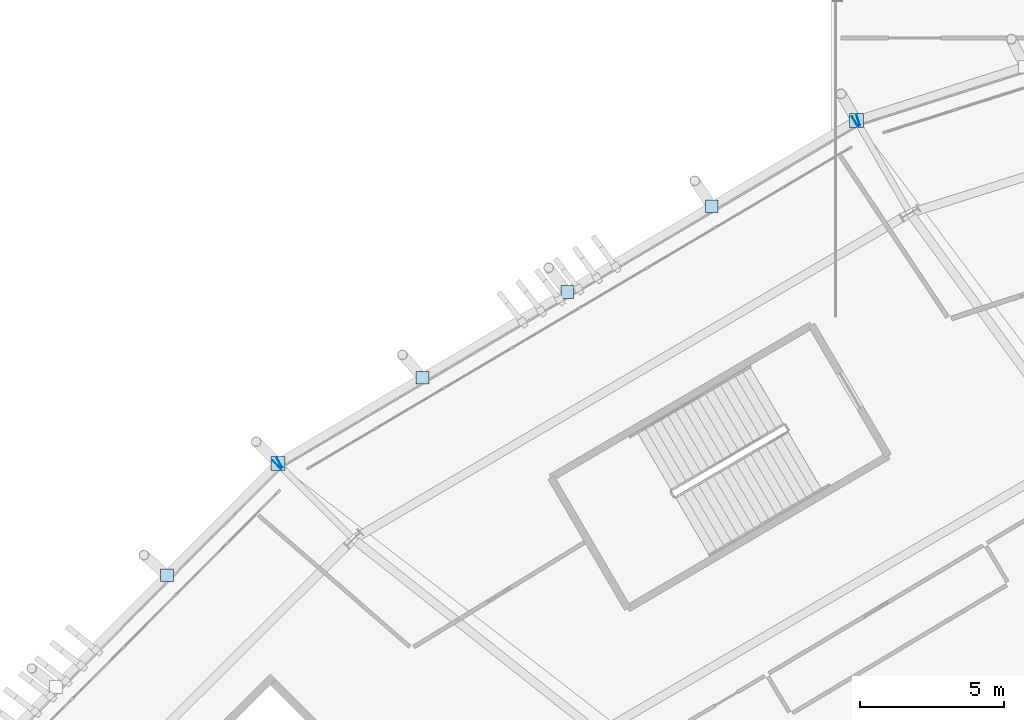
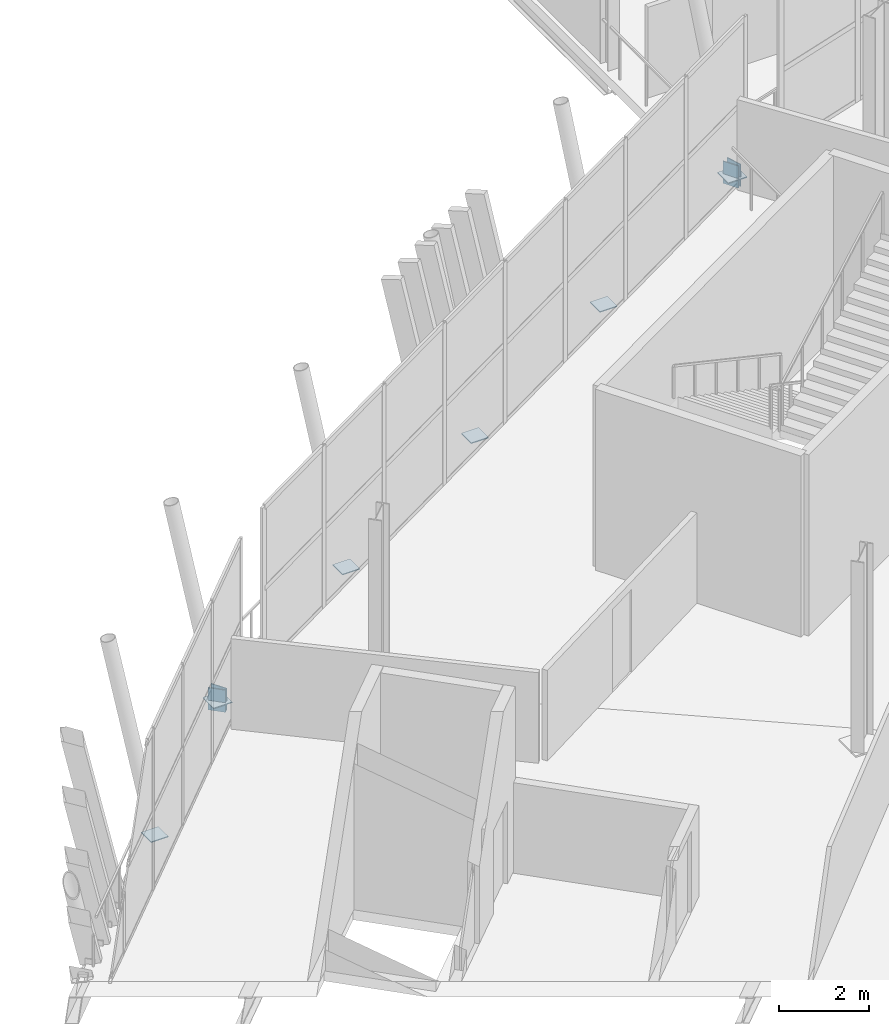
# One storey, part 110 of 168: 10 plates.
"""IFC4 building model written with IfcOpenShell, lengths in metres."""

import ifcopenshell
import ifcopenshell.guid

model = None  # the IFC model being written
_history = None  # IfcOwnerHistory: only IFC2X3 demands one
_inside = {}  # id of a spatial element -> (the spatial element, [elements in it])
_under = {}  # id of a project, library or spatial element -> (it, [spatial elements below it])
_declared = {}  # id of a project -> (the project, [libraries it declares])
_typed = {}  # id of a type object -> (the type object, [elements of that type])
_made_of = {}  # id of a material, layer set ... -> (it, [elements and type objects made of it])


def new_model(schema):
    """Start an empty IFC model of exactly this schema.

    Asked for "IFC4X3", IfcOpenShell would pick the latest addendum, in which some entities
    have other attributes; the version numbers below select the first issue.
    IFC2X3 requires an IfcOwnerHistory on every rooted entity: one is made here for all.
    """
    global model, _history
    if schema == "IFC4X3":
        model = ifcopenshell.file(schema_version=(4, 3, 0, 0))
    else:
        model = ifcopenshell.file(schema=schema)
    _inside.clear()
    _under.clear()
    _declared.clear()
    _typed.clear()
    _made_of.clear()
    _history = None
    if model.schema == "IFC2X3":
        org = make("IfcOrganization", Name="unknown")
        user = make(
            "IfcPersonAndOrganization",
            ThePerson=make("IfcPerson", FamilyName="unknown"),
            TheOrganization=org,
        )
        app = make(
            "IfcApplication",
            ApplicationDeveloper=org,
            Version="unknown",
            ApplicationFullName="unknown",
            ApplicationIdentifier="unknown",
        )
        _history = make(
            "IfcOwnerHistory",
            OwningUser=user,
            OwningApplication=app,
            ChangeAction="ADDED",
            CreationDate=0,
        )
    return model


def make(cls, **values):
    """One entity of the class cls with the attributes given. An attribute that is None is left unset."""
    return model.create_entity(
        cls, **{name: value for name, value in values.items() if value is not None}
    )


def rooted(cls, **values):
    """An entity with a GlobalId (a new one), such as an element, a storey or a relation."""
    return make(cls, GlobalId=ifcopenshell.guid.new(), OwnerHistory=_history, **values)


def si_unit(unit_type, name, prefix=None):
    """IfcSIUnit, for example si_unit("LENGTHUNIT", "METRE", prefix="MILLI")."""
    return make("IfcSIUnit", UnitType=unit_type, Prefix=prefix, Name=name)


def assignment(units):
    """IfcUnitAssignment: the units of a project."""
    return None if units is None else make("IfcUnitAssignment", Units=units)


def point(xyz):
    """IfcCartesianPoint."""
    return None if xyz is None else make("IfcCartesianPoint", Coordinates=xyz)


def direction(xyz):
    """IfcDirection."""
    return None if xyz is None else make("IfcDirection", DirectionRatios=xyz)


def frame(location, z_axis=None, x_axis=None):
    """IfcAxis2Placement3D, a coordinate frame: its origin and axes. An axis left out is left unset."""
    return make(
        "IfcAxis2Placement3D",
        Location=point(location),
        Axis=direction(z_axis),
        RefDirection=direction(x_axis),
    )


def frame_2d(location, x_axis=None):
    """IfcAxis2Placement2D, a coordinate frame in the plane: its origin and x axis."""
    return make(
        "IfcAxis2Placement2D", Location=point(location), RefDirection=direction(x_axis)
    )


def origin():
    """The frame at (0, 0, 0) with its axes left unset."""
    return frame((0.0, 0.0, 0.0))


def origin_2d():
    """The frame at (0, 0) in the plane with its x axis left unset."""
    return frame_2d((0.0, 0.0))


def place(relative_to, where):
    """IfcLocalPlacement: puts the frame where relative to a parent placement (None: the world)."""
    return make(
        "IfcLocalPlacement", PlacementRelTo=relative_to, RelativePlacement=where
    )


def context(
    kind, dimensions, precision=None, world=None, true_north=None, identifier=None
):
    """IfcGeometricRepresentationContext, for example the 3D "Model" context."""
    return make(
        "IfcGeometricRepresentationContext",
        ContextIdentifier=identifier,
        ContextType=kind,
        CoordinateSpaceDimension=dimensions,
        Precision=precision,
        WorldCoordinateSystem=world,
        TrueNorth=true_north,
    )


def subcontext(parent, identifier, kind, view, scale=None):
    """IfcGeometricRepresentationSubContext, for example "Body" below "Model"."""
    return make(
        "IfcGeometricRepresentationSubContext",
        ContextIdentifier=identifier,
        ContextType=kind,
        ParentContext=parent,
        TargetScale=scale,
        TargetView=view,
    )


def project(units=None, contexts=None):
    """IfcProject with its units and contexts."""
    return rooted(
        "IfcProject",
        Name="project",
        RepresentationContexts=contexts,
        UnitsInContext=assignment(units),
    )


def spatial(cls, under=None, at=None, **own):
    """A site, building, storey or space (cls), placed at a placement, below another one or the project."""
    s = rooted(cls, ObjectPlacement=at, **own)
    if under is not None:
        _under.setdefault(under.id(), (under, []))[1].append(s)
    return s


def profile(cls, at=None, kind="AREA", **sizes):
    """A parametric profile (cls). Its sizes go by their IFC names, for example OverallWidth=200.0."""
    return make(cls, ProfileType=kind, Position=at, **sizes)


def rectangle(**sizes):
    """IfcRectangleProfileDef."""
    return profile("IfcRectangleProfileDef", **sizes)


def extrude(swept, where, along, depth):
    """IfcExtrudedAreaSolid: the profile swept, set in the frame where, extruded along a direction by depth."""
    return make(
        "IfcExtrudedAreaSolid",
        SweptArea=swept,
        Position=where,
        ExtrudedDirection=direction(along),
        Depth=depth,
    )


def shape(context_of_items, identifier, shape_type, items):
    """IfcShapeRepresentation: the items that make up one representation, for example the "Body"."""
    return make(
        "IfcShapeRepresentation",
        ContextOfItems=context_of_items,
        RepresentationIdentifier=identifier,
        RepresentationType=shape_type,
        Items=items,
    )


def material(Name=None, Category=None):
    """IfcMaterial."""
    return make("IfcMaterial", Name=Name, Category=Category)


def layer(
    of_material, thickness, ventilated=None, Name=None, Category=None, Priority=None
):
    """IfcMaterialLayer: one layer of a wall or slab, of a material (None: an air gap)."""
    return make(
        "IfcMaterialLayer",
        Material=of_material,
        LayerThickness=thickness,
        IsVentilated=ventilated,
        Name=Name,
        Category=Category,
        Priority=Priority,
    )


def layer_set(layers, Name=None):
    """IfcMaterialLayerSet."""
    return make("IfcMaterialLayerSet", MaterialLayers=layers, LayerSetName=Name)


def made_of(thing, what):
    """Note that an element or type object is made of a material, layer set ...; save() writes the relation."""
    if what is not None:
        _made_of.setdefault(what.id(), (what, []))[1].append(thing)
    return thing


def type_object(cls, material=None, **own):
    """A type object (cls), such as IfcWallType, which elements share."""
    return made_of(rooted(cls, **own), material)


def element(
    cls,
    number,
    at=None,
    inside=None,
    cuts=None,
    type_object=None,
    material=None,
    context=None,
    identifier="Body",
    shape_type=None,
    held_by="IfcProductDefinitionShape",
    body=None,
    shapes=None,
    **own,
):
    """One element of the class cls, such as IfcWall. Its Tag is "e" and its number.

    at: its placement. inside: the storey or other place that contains it. cuts: it is an
    opening in that element (IfcRelVoidsElement). A single representation is given by context,
    identifier, shape_type and body (its items); several are given by shapes. held_by: the class
    of the entity that holds the representations. save() writes the other relations.
    """
    e = rooted(cls, Tag="e%d" % number, ObjectPlacement=at, **own)
    if body is not None:
        shapes = [shape(context, identifier, shape_type, body)]
    if shapes is not None:
        e.Representation = make(held_by, Representations=shapes)
    if inside is not None:
        _inside.setdefault(inside.id(), (inside, []))[1].append(e)
    if cuts is not None:
        rooted(
            "IfcRelVoidsElement", RelatingBuildingElement=cuts, RelatedOpeningElement=e
        )
    if type_object is not None:
        _typed.setdefault(type_object.id(), (type_object, []))[1].append(e)
    return made_of(e, material)


def aggregate(whole, parts):
    """IfcRelAggregates: a whole, such as a stair, and the parts it consists of."""
    return rooted("IfcRelAggregates", RelatingObject=whole, RelatedObjects=parts)


def save(model, path):
    """Write the relations noted so far, then the file.

    IfcRelAggregates (storeys below a building ...), IfcRelContainedInSpatialStructure (elements
    in a storey), IfcRelDefinesByType, IfcRelAssociatesMaterial and IfcRelDeclares: one each for
    every whole, place, type object, material and project.
    """
    for whole, parts in _under.values():
        aggregate(whole, parts)
    for where, things in _inside.values():
        rooted(
            "IfcRelContainedInSpatialStructure",
            RelatedElements=things,
            RelatingStructure=where,
        )
    for kind, things in _typed.values():
        rooted("IfcRelDefinesByType", RelatedObjects=things, RelatingType=kind)
    for what, things in _made_of.values():
        rooted("IfcRelAssociatesMaterial", RelatedObjects=things, RelatingMaterial=what)
    for by, libraries in _declared.values():
        rooted("IfcRelDeclares", RelatingContext=by, RelatedDefinitions=libraries)
    model.write(path)


model = new_model("IFC4")

# Units and contexts
model_context = context("Model", 3, precision=1e-05, world=origin(), true_north=direction((0.0, 1.0)))
body_context = subcontext(model_context, "Body", "Model", "MODEL_VIEW")
ifc_project = project(units=[si_unit("LENGTHUNIT", "METRE"), si_unit("AREAUNIT", "SQUARE_METRE"), si_unit("VOLUMEUNIT", "CUBIC_METRE"), si_unit("PLANEANGLEUNIT", "RADIAN"), si_unit("MASSUNIT", "GRAM", prefix="KILO")], contexts=[model_context])

# Site, building, storey
site_placement = place(None, origin())
site = spatial("IfcSite", under=ifc_project, at=site_placement, CompositionType="ELEMENT")
building_placement = place(site_placement, origin())
building = spatial("IfcBuilding", under=site, at=building_placement, Name="Zlatoyarsky Gate Stadium", CompositionType="ELEMENT")
storey_placement = place(building_placement, frame((0.0, 0.0, 15.60009765625)))
storey = spatial("IfcBuildingStorey", under=building, at=storey_placement, Name="L03", CompositionType="ELEMENT", Elevation=15.60009765625)

# Plates
ifc_material = material(Name="Steel S355", Category="steel")
ifc_layer = layer(ifc_material, 0.02392578125)
ifc_layer_set = layer_set([ifc_layer], Name="Steel S355")
plate_type = type_object("IfcPlateType", Name="STEEL HOLLOW CHORD SPLICE SHEET 24", PredefinedType="SHEET", material=ifc_layer_set)
for number, where, z_axis, x_axis, name in (
    (1, (62.7060546875, 144.71240234375, -0.830078125), (0.0, 0.0, 1.0), (-0.952429647301, -0.304758538753, 0.0), "Hollow end cap ND-SP1 CAP-L03-SPD-07 B"),
    (2, (62.597412109375, 144.663330078125, -0.830078125), (0.0, 0.0, 1.0), (-0.860228734412, -0.50990834911, 0.0), "Hollow end cap ND-SP1 CAP-L03-SPD-08 A"),
    (3, (42.6728515625, 132.85302734375, -0.830078125), (0.0, 0.0, 1.0), (-0.860228734412, -0.50990834911, 0.0), "Hollow end cap ND-SP1 CAP-L03-SPD-08 B"),
):
    element("IfcPlate", number, at=place(storey_placement, frame(where, z_axis=z_axis, x_axis=x_axis)), inside=storey, type_object=plate_type, Name=name, PredefinedType="SHEET", context=body_context, shape_type="SweptSolid", body=[
        extrude(rectangle(XDim=0.02392578125, YDim=0.39990234375, at=origin_2d()), origin(), (0.0, 0.0, 1.0), 0.60009765625),
    ])
plate_1_placement = place(storey_placement, frame((62.64892578125, 144.694091796875, -0.592041015625), z_axis=(0.0, 0.0, 1.0), x_axis=(1.0, 0.0, 0.0)))
element("IfcPlate", 4, at=plate_1_placement, inside=storey, type_object=plate_type, Name="Node closure plate ND-SP1 NCAP-L03-RSTR-08", PredefinedType="SHEET", context=body_context, shape_type="SweptSolid", body=[
    extrude(rectangle(XDim=0.47998046875, YDim=0.47998046875, at=origin_2d()), origin(), (0.0, 0.0, 1.0), 0.02392578125),
])
plate_2_placement = place(storey_placement, frame((42.578857421875, 132.77978515625, -0.830078125), z_axis=(0.0, 0.0, 1.0), x_axis=(-0.70472967068, -0.709475927191, 0.0)))
element("IfcPlate", 5, at=plate_2_placement, inside=storey, type_object=plate_type, Name="Hollow end cap ND-SP1 CAP-L03-SPD-09 A", PredefinedType="SHEET", context=body_context, shape_type="SweptSolid", body=[
    extrude(rectangle(XDim=0.02392578125, YDim=0.39990234375, at=origin_2d()), origin(), (0.0, 0.0, 1.0), 0.60009765625),
])
plate_3_placement = place(storey_placement, frame((42.62109375, 132.822509765625, -0.592041015625), z_axis=(0.0, 0.0, 1.0), x_axis=(1.0, 0.0, 0.0)))
element("IfcPlate", 6, at=plate_3_placement, inside=storey, type_object=plate_type, Name="Node closure plate ND-SP1 NCAP-L03-RSTR-09", PredefinedType="SHEET", context=body_context, shape_type="SweptSolid", body=[
    extrude(rectangle(XDim=0.47998046875, YDim=0.47998046875, at=origin_2d()), origin(), (0.0, 0.0, 1.0), 0.02392578125),
])
for number, where, z_axis, x_axis, name in (
    (7, (57.64208984375, 141.72607421875, -0.5419921875), (0.0, 0.0, 1.0), (1.0, 0.0, 0.0), "Node closure plate ND-SP1 NCAP-RIB-08-1-1T"),
    (8, (52.635009765625, 138.75830078125, -0.5419921875), (0.0, 0.0, 1.0), (1.0, 0.0, 0.0), "Node closure plate ND-SP1 NCAP-RIB-08-2-1T"),
    (9, (47.628173828125, 135.790283203125, -0.5419921875), (0.0, 0.0, 1.0), (1.0, 0.0, 0.0), "Node closure plate ND-SP1 NCAP-RIB-08-3-1T"),
    (10, (38.779296875, 128.95458984375, -0.5419921875), (0.0, 0.0, 1.0), (1.0, 0.0, 0.0), "Node closure plate ND-SP1 NCAP-RIB-09-1-1T"),
):
    element("IfcPlate", number, at=place(storey_placement, frame(where, z_axis=z_axis, x_axis=x_axis)), inside=storey, type_object=plate_type, Name=name, PredefinedType="SHEET", context=body_context, shape_type="SweptSolid", body=[
        extrude(rectangle(XDim=0.43994140625, YDim=0.43994140625, at=origin_2d()), origin(), (0.0, 0.0, 1.0), 0.02392578125),
    ])

save(model, "model.ifc")
